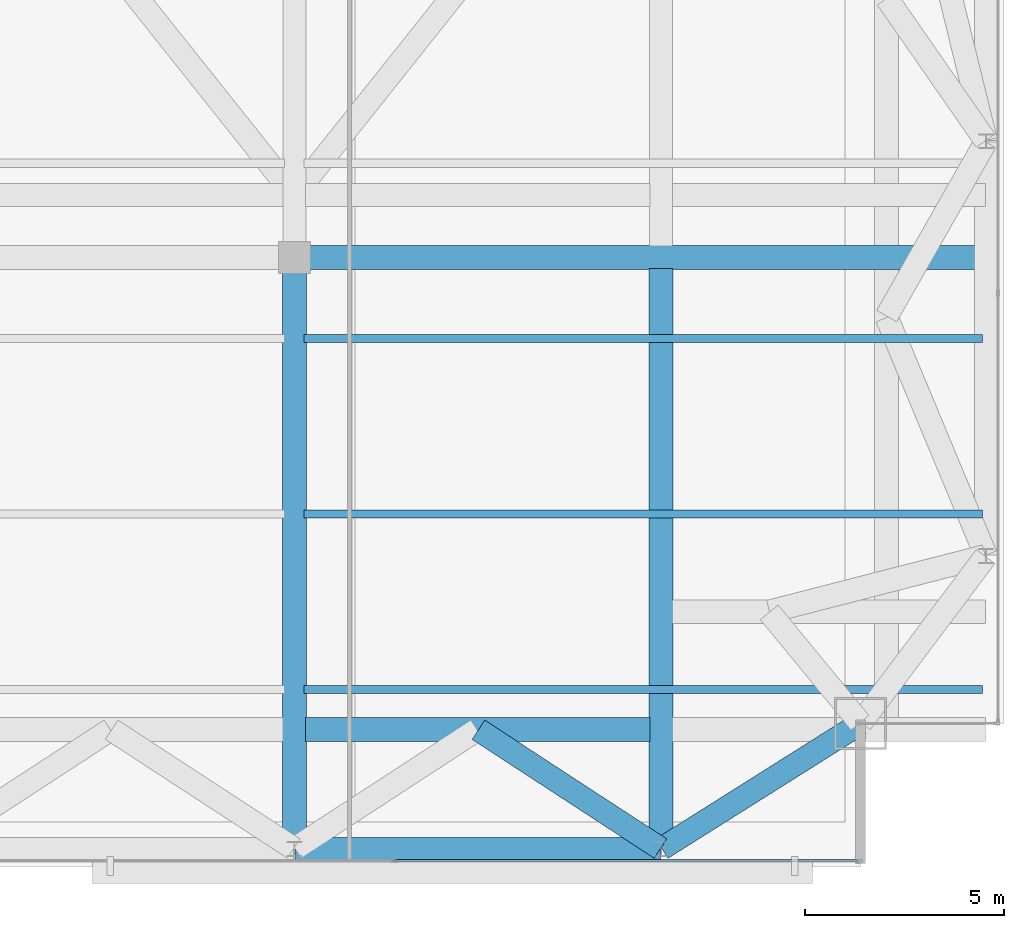
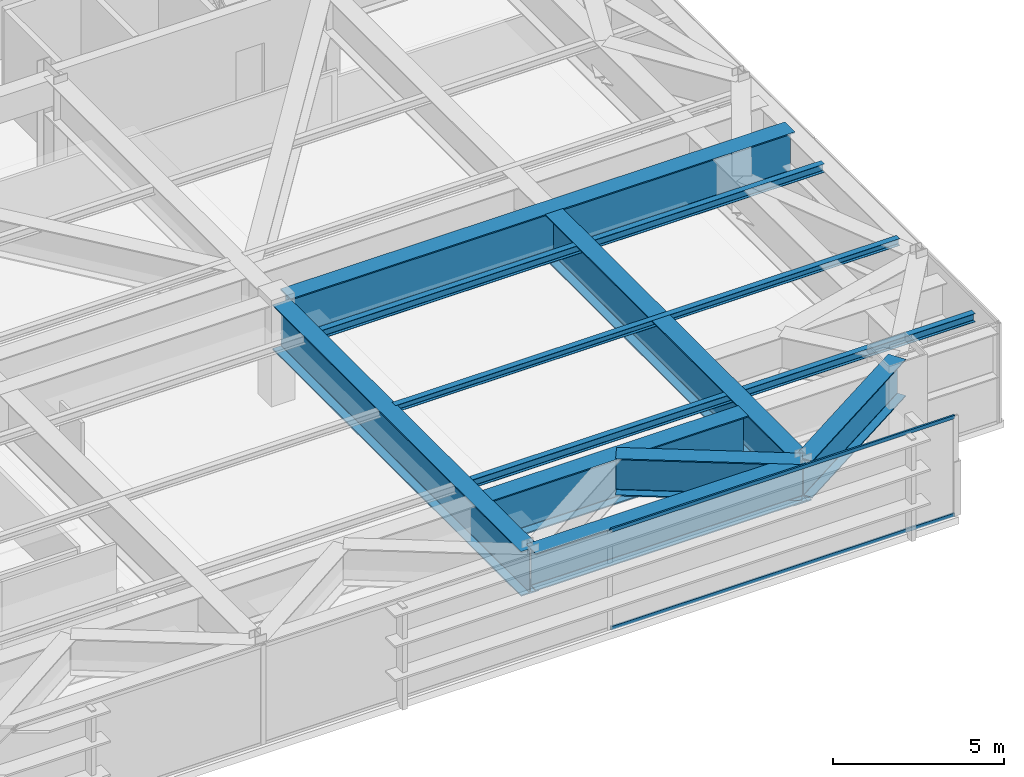
# One storey, part 14 of 26: 10 beams, 2 members, 1 element without a shape of its own.
"""IFC4 building model written with IfcOpenShell, lengths in metres."""

from ifc_helpers import new_model, si_unit, direction, frame, origin, origin_2d, place, context, subcontext, project, spatial, hollow_rectangle, i_section, extrude, source, transform, mapped, material, layer, layer_set, material_profile, profile_set, type_object, type_shapes, element, aggregate, save


model = new_model("IFC4")

# Units and contexts
model_context = context("Model", 3, precision=1e-05, world=origin(), true_north=direction((0.0, 1.0)))
body_context = subcontext(model_context, "Body", "Model", "MODEL_VIEW")
ifc_project = project(units=[si_unit("LENGTHUNIT", "METRE"), si_unit("AREAUNIT", "SQUARE_METRE"), si_unit("VOLUMEUNIT", "CUBIC_METRE"), si_unit("PLANEANGLEUNIT", "RADIAN"), si_unit("MASSUNIT", "GRAM", prefix="KILO")], contexts=[model_context])

# Site, building, storey
site_placement = place(None, origin())
site = spatial("IfcSite", under=ifc_project, at=site_placement, CompositionType="ELEMENT")
building_placement = place(site_placement, origin())
building = spatial("IfcBuilding", under=site, at=building_placement, Name="Varnel Quay Broadcast Tower", CompositionType="ELEMENT")
storey_placement = place(building_placement, frame((0.0, 0.0, 196.0)))
storey = spatial("IfcBuildingStorey", under=building, at=storey_placement, Name="L48", CompositionType="ELEMENT", Elevation=196.0)

# Beams
ifc_material_1 = material(Name="Structural Steel CSA G40.21 350WT", Category="steel")
ifc_material_profile_1 = material_profile(ifc_material_1, i_section(OverallWidth=0.580078125, OverallDepth=1.330078125, WebThickness=0.02197265625, FlangeThickness=0.0380859375, FilletRadius=0.02001953125, at=origin_2d()), Name="WWF1330X535")
ifc_profile_set_1 = profile_set([ifc_material_profile_1], Name="Structural Steel CSA G40.21 350WT")
beam_type_1 = type_object("IfcBeamType", Name="Girder_WWF1330X535", PredefinedType="BEAM", material=ifc_profile_set_1)
shared_shape_1 = source(origin(), body_context, "Body", "SweptSolid", [
    extrude(i_section(OverallWidth=0.580078125, OverallDepth=1.330078125, WebThickness=0.02197265625, FlangeThickness=0.0380859375, FilletRadius=0.02001953125, at=origin_2d()), origin(), (0.0, 0.0, 1.0), 9.159912109375),
])
beam_1_placement = place(storey_placement, frame((43.219970703125, 7.64990234375, 2.885009765625), z_axis=(1.0, 0.0, 0.0), x_axis=(0.0, 1.0, 0.0)))
element("IfcBeam", 1, at=beam_1_placement, inside=storey, type_object=beam_type_1, Name="L48 Perimeter Transfer Spine TC-S4-TC-S5", PredefinedType="BEAM", context=body_context, shape_type="MappedRepresentation", body=[
    mapped(shared_shape_1, transform((0.0, 0.0, 0.0), x_axis=(1.0, 0.0, 0.0), y_axis=(0.0, 1.0, 0.0), z_axis=(0.0, 0.0, 1.0), scale=1.0)),
])
ifc_material_profile_2 = material_profile(ifc_material_1, i_section(OverallWidth=0.60009765625, OverallDepth=1.60009765625, WebThickness=0.02392578125, FlangeThickness=0.0419921875, FilletRadius=0.02197265625, at=origin_2d()), Name="WWF1600X620")
ifc_profile_set_2 = profile_set([ifc_material_profile_2], Name="Structural Steel CSA G40.21 350WT")
beam_type_2 = type_object("IfcBeamType", Name="Girder_WWF1600X620", PredefinedType="BEAM", material=ifc_profile_set_2)
shared_shape_2 = source(origin(), body_context, "Body", "SweptSolid", [
    extrude(i_section(OverallWidth=0.60009765625, OverallDepth=1.60009765625, WebThickness=0.02392578125, FlangeThickness=0.0419921875, FilletRadius=0.02197265625, at=origin_2d()), origin(), (0.0, 0.0, 1.0), 8.6298828125),
])
beam_2_placement = place(storey_placement, frame((43.485107421875, 10.64990234375, 2.75), z_axis=(1.0, 0.0, 0.0), x_axis=(0.0, 1.0, 0.0)))
element("IfcBeam", 2, at=beam_2_placement, inside=storey, type_object=beam_type_2, Name="L48 Setback South Transfer Header 5", PredefinedType="BEAM", context=body_context, shape_type="MappedRepresentation", body=[
    mapped(shared_shape_2, transform((0.0, 0.0, 0.0), x_axis=(1.0, 0.0, 0.0), y_axis=(0.0, 1.0, 0.0), z_axis=(0.0, 0.0, 1.0), scale=1.0)),
])
shared_shape_3 = source(origin(), body_context, "Body", "SweptSolid", [
    extrude(i_section(OverallWidth=0.580078125, OverallDepth=1.330078125, WebThickness=0.02197265625, FlangeThickness=0.0380859375, FilletRadius=0.02001953125, at=origin_2d()), origin(), (0.0, 0.0, 1.0), 5.869384765625),
])
beam_3_placement = place(storey_placement, frame((52.4169921875, 7.66064453125, 2.885009765625), z_axis=(0.846088328928, 0.533042718412, 0.0), x_axis=(-0.533042718412, 0.846088328928, 0.0)))
element("IfcBeam", 3, at=beam_3_placement, inside=storey, type_object=beam_type_1, Name="L48 Perimeter Transfer Spine TC-S5-MC-SE", PredefinedType="BEAM", context=body_context, shape_type="MappedRepresentation", body=[
    mapped(shared_shape_3, transform((0.0, 0.0, 0.0), x_axis=(1.0, 0.0, 0.0), y_axis=(0.0, 1.0, 0.0), z_axis=(0.0, 0.0, 1.0), scale=1.0)),
])
shared_shape_4 = source(origin(), body_context, "Body", "SweptSolid", [
    extrude(i_section(OverallWidth=0.60009765625, OverallDepth=1.60009765625, WebThickness=0.02392578125, FlangeThickness=0.0419921875, FilletRadius=0.02197265625, at=origin_2d()), origin(), (0.0, 0.0, 1.0), 17.025146484375),
])
beam_4_placement = place(storey_placement, frame((43.5048828125, 22.489990234375, 2.75), z_axis=(1.0, 0.0, 0.0), x_axis=(0.0, 1.0, 0.0)))
element("IfcBeam", 4, at=beam_4_placement, inside=storey, type_object=beam_type_2, Name="L48 Mid Transfer Spine E", PredefinedType="BEAM", context=body_context, shape_type="MappedRepresentation", body=[
    mapped(shared_shape_4, transform((0.0, 0.0, 0.0), x_axis=(1.0, 0.0, 0.0), y_axis=(0.0, 1.0, 0.0), z_axis=(0.0, 0.0, 1.0), scale=1.0)),
])
shared_shape_5 = source(origin(), body_context, "Body", "SweptSolid", [
    extrude(i_section(OverallWidth=0.60009765625, OverallDepth=1.60009765625, WebThickness=0.02392578125, FlangeThickness=0.0419921875, FilletRadius=0.02197265625, at=origin_2d()), origin(), (0.0, 0.0, 1.0), 14.53515625),
])
type_shapes(beam_type_2, [shared_shape_2, shared_shape_4, shared_shape_5])
for number, where, z_axis, x_axis, name in (
    (5, (43.199951171875, 7.669921875, 2.75), (0.0, 1.0, 0.0), (-1.0, 0.0, 0.0), "L48 N-S Transfer Girder 4A"),
    (6, (52.39990234375, 7.669921875, 2.75), (0.0, 1.0, 0.0), (-1.0, 0.0, 0.0), "L48 N-S Transfer Girder 5A"),
):
    element("IfcBeam", number, at=place(storey_placement, frame(where, z_axis=z_axis, x_axis=x_axis)), inside=storey, type_object=beam_type_2, Name=name, PredefinedType="BEAM", context=body_context, shape_type="MappedRepresentation", body=[
        mapped(shared_shape_5, transform((0.0, 0.0, 0.0), x_axis=(1.0, 0.0, 0.0), y_axis=(0.0, 1.0, 0.0), z_axis=(0.0, 0.0, 1.0), scale=1.0)),
    ])
shared_shape_6 = source(origin(), body_context, "Body", "SweptSolid", [
    extrude(i_section(OverallWidth=0.580078125, OverallDepth=1.330078125, WebThickness=0.02197265625, FlangeThickness=0.0380859375, FilletRadius=0.02001953125, at=origin_2d()), origin(), (0.0, 0.0, 1.0), 5.451904296875),
])
type_shapes(beam_type_1, [shared_shape_1, shared_shape_3, shared_shape_6])
beam_5_placement = place(storey_placement, frame((52.38330078125, 7.660888671875, 2.885009765625), z_axis=(-0.837595451539, 0.546291002637, 0.0), x_axis=(-0.546291002637, -0.837595451539, 0.0)))
element("IfcBeam", 7, at=beam_5_placement, inside=storey, type_object=beam_type_1, Name="L48 Nodal Transfer Tie TC-S4-TC-S5", PredefinedType="BEAM", context=body_context, shape_type="MappedRepresentation", body=[
    mapped(shared_shape_6, transform((0.0, 0.0, 0.0), x_axis=(1.0, 0.0, 0.0), y_axis=(0.0, 1.0, 0.0), z_axis=(0.0, 0.0, 1.0), scale=1.0)),
])
ifc_material_2 = material(Name="Structural Steel CSA G40.21 350W", Category="steel")
ifc_material_profile_3 = material_profile(ifc_material_2, i_section(OverallWidth=0.202880859375, OverallDepth=0.302978515625, WebThickness=0.007568359375, FlangeThickness=0.01318359375, FilletRadius=0.011962890625, at=origin_2d()), Name="W310X60")
ifc_profile_set_3 = profile_set([ifc_material_profile_3], Name="Structural Steel CSA G40.21 350W")
beam_type_3 = type_object("IfcBeamType", Name="Beam_W310X60", PredefinedType="JOIST", material=ifc_profile_set_3)
shared_shape_7 = source(origin(), body_context, "Body", "SweptSolid", [
    extrude(i_section(OverallWidth=0.202880859375, OverallDepth=0.302978515625, WebThickness=0.007568359375, FlangeThickness=0.01318359375, FilletRadius=0.011962890625, at=origin_2d()), origin(), (0.0, 0.0, 1.0), 17.01953125),
])
type_shapes(beam_type_3, [shared_shape_7])
for number, where, z_axis, x_axis, name in (
    (8, (43.445068359375, 11.64990234375, 3.3984375), (1.0, 0.0, 0.0), (0.0, 1.0, 0.0), "L48 East Floor Joist 1"),
    (9, (43.445068359375, 20.449951171875, 3.3984375), (1.0, 0.0, 0.0), (0.0, 1.0, 0.0), "L48 East Floor Joist 3"),
):
    element("IfcBeam", number, at=place(storey_placement, frame(where, z_axis=z_axis, x_axis=x_axis)), inside=storey, type_object=beam_type_3, Name=name, PredefinedType="JOIST", context=body_context, shape_type="MappedRepresentation", body=[
        mapped(shared_shape_7, transform((0.0, 0.0, 0.0), x_axis=(1.0, 0.0, 0.0), y_axis=(0.0, 1.0, 0.0), z_axis=(0.0, 0.0, 1.0), scale=1.0)),
    ])
ifc_material_profile_4 = material_profile(ifc_material_2, i_section(OverallWidth=0.201904296875, OverallDepth=0.2470703125, WebThickness=0.00732421875, FlangeThickness=0.010986328125, FilletRadius=0.010986328125, at=origin_2d()), Name="W250X49")
ifc_profile_set_4 = profile_set([ifc_material_profile_4], Name="Structural Steel CSA G40.21 350W")
beam_type_4 = type_object("IfcBeamType", Name="Beam_W250X49", PredefinedType="JOIST", material=ifc_profile_set_4)
shared_shape_8 = source(origin(), body_context, "Body", "SweptSolid", [
    extrude(i_section(OverallWidth=0.201904296875, OverallDepth=0.2470703125, WebThickness=0.00732421875, FlangeThickness=0.010986328125, FilletRadius=0.010986328125, at=origin_2d()), origin(), (0.0, 0.0, 1.0), 17.01953125),
])
type_shapes(beam_type_4, [shared_shape_8])
beam_6_placement = place(storey_placement, frame((43.445068359375, 16.050048828125, 3.426513671875), z_axis=(1.0, 0.0, 0.0), x_axis=(0.0, 1.0, 0.0)))
element("IfcBeam", 10, at=beam_6_placement, inside=storey, type_object=beam_type_4, Name="L48 East Floor Joist 2", PredefinedType="JOIST", context=body_context, shape_type="MappedRepresentation", body=[
    mapped(shared_shape_8, transform((0.0, 0.0, 0.0), x_axis=(1.0, 0.0, 0.0), y_axis=(0.0, 1.0, 0.0), z_axis=(0.0, 0.0, 1.0), scale=1.0)),
])

# Curtain wall, members
ifc_material_3 = material(Name="Anodised Bronze Aluminium 6063-T6", Category="aluminium")
ifc_layer = layer(ifc_material_3, 0.18994140625, Name="Anodised Bronze Aluminium 6063-T6")
ifc_layer_set = layer_set([ifc_layer], Name="Anodised Bronze Aluminium 6063-T6")
curtain_wall_type = type_object("IfcCurtainWallType", Name="CW_UpperTower", PredefinedType="NOTDEFINED", material=ifc_layer_set)
curtain_wall_placement = place(storey_placement, origin())
curtain_wall = element("IfcCurtainWall", 11, at=curtain_wall_placement, inside=storey, type_object=curtain_wall_type, Name="L48 South Unitised Curtain Wall 1", PredefinedType="NOTDEFINED")
ifc_material_profile_5 = material_profile(ifc_material_3, hollow_rectangle(XDim=0.06005859375, YDim=0.125, WallThickness=0.0029296875, at=origin_2d()), Name="ALU60X125X3")
ifc_profile_set_5 = profile_set([ifc_material_profile_5], Name="Anodised Bronze Aluminium 6063-T6")
member_type = type_object("IfcMemberType", Name="Tran_CWS-03", PredefinedType="USERDEFINED", material=ifc_profile_set_5)
shared_shape_9 = source(origin(), body_context, "Body", "SweptSolid", [
    extrude(hollow_rectangle(XDim=0.06005859375, YDim=0.125, WallThickness=0.0029296875, at=origin_2d()), origin(), (0.0, 0.0, 1.0), 11.6025390625),
])
type_shapes(member_type, [shared_shape_9])
member_1_placement = place(storey_placement, frame((45.732421875, 7.35009765625, 0.030029296875), z_axis=(1.0, 0.0, 0.0), x_axis=(0.0, 1.0, 0.0)))
member_1 = element("IfcMember", 12, at=member_1_placement, type_object=member_type, Name="CWS-03 transom 4.1", ObjectType="TRANSOM", PredefinedType="USERDEFINED", context=body_context, shape_type="MappedRepresentation", body=[
    mapped(shared_shape_9, transform((0.0, 0.0, 0.0), x_axis=(1.0, 0.0, 0.0), y_axis=(0.0, 1.0, 0.0), z_axis=(0.0, 0.0, 1.0), scale=1.0)),
])
member_2_placement = place(storey_placement, frame((45.732421875, 7.35009765625, 3.52001953125), z_axis=(1.0, 0.0, 0.0), x_axis=(0.0, 1.0, 0.0)))
member_2 = element("IfcMember", 13, at=member_2_placement, type_object=member_type, Name="CWS-03 transom 4.2", ObjectType="TRANSOM", PredefinedType="USERDEFINED", context=body_context, shape_type="MappedRepresentation", body=[
    mapped(shared_shape_9, transform((0.0, 0.0, 0.0), x_axis=(1.0, 0.0, 0.0), y_axis=(0.0, 1.0, 0.0), z_axis=(0.0, 0.0, 1.0), scale=1.0)),
])
aggregate(curtain_wall, [member_1, member_2])

save(model, "model.ifc")
